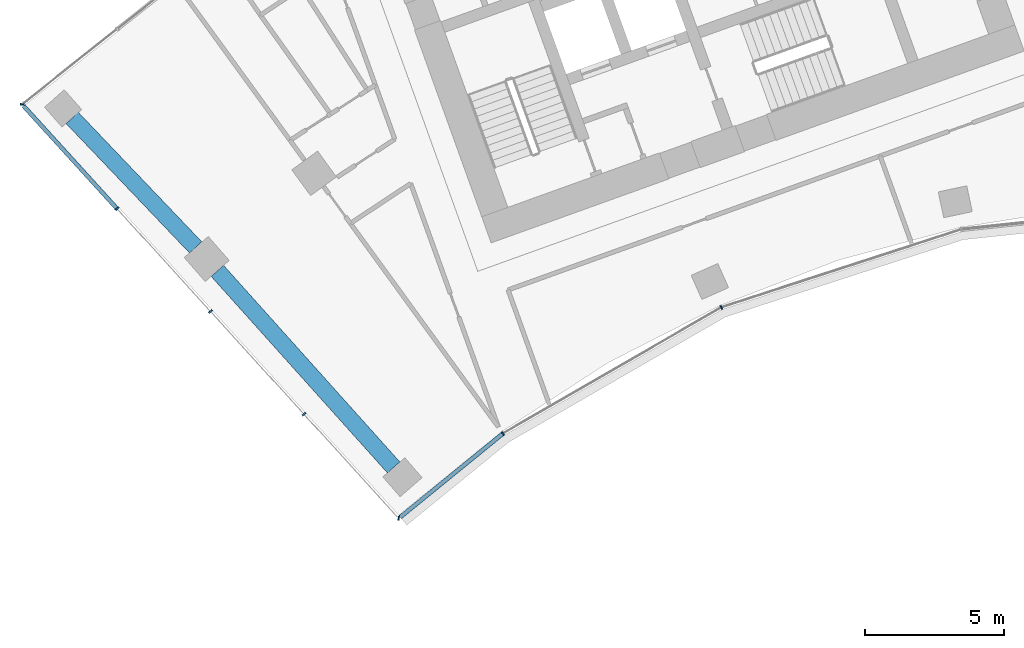
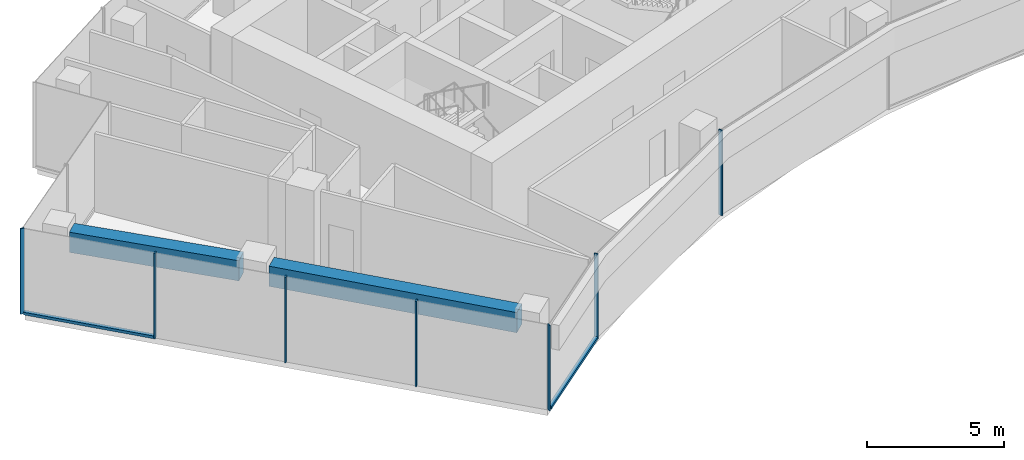
# One storey, part 2 of 17: 9 members, 2 beams, 2 elements without a shape of their own.
"""IFC4 building model written with IfcOpenShell, lengths in metres."""

from ifc_helpers import new_model, si_unit, direction, frame, origin, origin_2d, place, context, subcontext, project, spatial, rectangle, extrude, material, layer, layer_set, material_profile, profile_set, type_object, element, aggregate, save


model = new_model("IFC4")

# Units and contexts
model_context = context("Model", 3, precision=1e-05, world=origin(), true_north=direction((0.0, 1.0)))
body_context = subcontext(model_context, "Body", "Model", "MODEL_VIEW")
ifc_project = project(units=[si_unit("LENGTHUNIT", "METRE"), si_unit("AREAUNIT", "SQUARE_METRE"), si_unit("VOLUMEUNIT", "CUBIC_METRE"), si_unit("PLANEANGLEUNIT", "RADIAN"), si_unit("MASSUNIT", "GRAM", prefix="KILO")], contexts=[model_context])

# Site, building, storey
site_placement = place(None, origin())
site = spatial("IfcSite", under=ifc_project, at=site_placement, CompositionType="ELEMENT")
building_placement = place(site_placement, origin())
building = spatial("IfcBuilding", under=site, at=building_placement, Name="Stone Belt Terrace Tower", CompositionType="ELEMENT")
storey_placement = place(building_placement, frame((0.0, 0.0, 231.39990234375)))
storey = spatial("IfcBuildingStorey", under=building, at=storey_placement, Name="L56", CompositionType="ELEMENT", Elevation=231.39990234375)

# Curtain wall, members
ifc_material_1 = material(Name="Aluminium 6063-T6 anodised frame", Category="aluminium")
ifc_layer_1 = layer(ifc_material_1, 0.14990234375)
ifc_layer_set_1 = layer_set([ifc_layer_1], Name="CW-B unitised concave-face curtain wall")
curtain_wall_type_1 = type_object("IfcCurtainWallType", Name="CW-B unitised concave-face curtain wall", PredefinedType="NOTDEFINED", material=ifc_layer_set_1)
curtain_wall_1_placement = place(storey_placement, origin())
curtain_wall_1 = element("IfcCurtainWall", 1, at=curtain_wall_1_placement, inside=storey, type_object=curtain_wall_type_1, Name="CW-B concave face L56", PredefinedType="NOTDEFINED")
ifc_material_profile_1 = material_profile(ifc_material_1, rectangle(XDim=0.14990234375, YDim=0.050048828125, at=origin_2d()), Name="Aluminium 6063-T6 50x150")
ifc_profile_set_1 = profile_set([ifc_material_profile_1], Name="Aluminium 6063-T6 anodised frame")
member_type_1 = type_object("IfcMemberType", Name="CW-B mullion 50 x 150", PredefinedType="MULLION", material=ifc_profile_set_1)
member_1_placement = place(storey_placement, frame((-29.28076171875, 32.07373046875, 0.0), z_axis=(0.0, 0.0, 1.0), x_axis=(0.074612764067, 0.997212582872, 0.0)))
member_1 = element("IfcMember", 2, at=member_1_placement, type_object=member_type_1, Name="CW-B mullion 1", PredefinedType="MULLION", context=body_context, shape_type="SweptSolid", body=[
    extrude(rectangle(XDim=0.14990234375, YDim=0.050048828125, at=origin_2d()), origin(), (0.0, 0.0, 1.0), 3.800048828125),
])
member_2_placement = place(storey_placement, frame((-25.52587890625, 35.13037109375, 0.0), z_axis=(0.0, 0.0, 1.0), x_axis=(-0.567465498288, 0.823397175276, 0.0)))
member_2 = element("IfcMember", 3, at=member_2_placement, type_object=member_type_1, Name="CW-B mullion 2", PredefinedType="MULLION", context=body_context, shape_type="SweptSolid", body=[
    extrude(rectangle(XDim=0.14990234375, YDim=0.050048828125, at=origin_2d()), origin(), (0.0, 0.0, 1.0), 3.800048828125),
])
member_3_placement = place(storey_placement, frame((-17.662353515625, 39.67041015625, 0.0), z_axis=(0.0, 0.0, 1.0), x_axis=(-0.406736643076, 0.913545457643, 0.0)))
member_3 = element("IfcMember", 4, at=member_3_placement, type_object=member_type_1, Name="CW-B mullion 3", PredefinedType="MULLION", context=body_context, shape_type="SweptSolid", body=[
    extrude(rectangle(XDim=0.14990234375, YDim=0.050048828125, at=origin_2d()), origin(), (0.0, 0.0, 1.0), 3.800048828125),
])
ifc_material_profile_2 = material_profile(ifc_material_1, rectangle(XDim=0.14990234375, YDim=0.1201171875, at=origin_2d()), Name="Aluminium 6063-T6 150x120")
ifc_profile_set_2 = profile_set([ifc_material_profile_2], Name="Aluminium 6063-T6 anodised frame")
member_type_2 = type_object("IfcMemberType", Name="CW-B transom 120 x 150", PredefinedType="USERDEFINED", material=ifc_profile_set_2)
member_4_placement = place(storey_placement, frame((-29.226806640625, 32.11767578125, 0.06005859375), z_axis=(0.775515096537, 0.631329022811, 0.0), x_axis=(-0.631329022811, 0.775515096537, 0.0)))
member_4 = element("IfcMember", 5, at=member_4_placement, type_object=member_type_2, Name="CW-B transom 1.1", ObjectType="TRANSOM", PredefinedType="USERDEFINED", context=body_context, shape_type="SweptSolid", body=[
    extrude(rectangle(XDim=0.14990234375, YDim=0.1201171875, at=origin_2d()), origin(), (0.0, 0.0, 1.0), 4.740966796875),
])
aggregate(curtain_wall_1, [member_1, member_2, member_3, member_4])

ifc_layer_2 = layer(ifc_material_1, 0.14990234375)
ifc_layer_set_2 = layer_set([ifc_layer_2], Name="CW-C stick curtain wall, horn ends and notches")
curtain_wall_type_2 = type_object("IfcCurtainWallType", Name="CW-C stick curtain wall, horn ends and notches", PredefinedType="NOTDEFINED", material=ifc_layer_set_2)
curtain_wall_2_placement = place(storey_placement, origin())
curtain_wall_2 = element("IfcCurtainWall", 6, at=curtain_wall_2_placement, inside=storey, type_object=curtain_wall_type_2, Name="CW-C end face L56", PredefinedType="NOTDEFINED")
ifc_material_profile_3 = material_profile(ifc_material_1, rectangle(XDim=0.14990234375, YDim=0.06005859375, at=origin_2d()), Name="Aluminium 6063-T6 60x150")
ifc_profile_set_3 = profile_set([ifc_material_profile_3], Name="Aluminium 6063-T6 anodised frame")
member_type_3 = type_object("IfcMemberType", Name="CW-C mullion 60 x 150", PredefinedType="MULLION", material=ifc_profile_set_3)
member_5_placement = place(storey_placement, frame((-42.841552734375, 46.9794921875, 0.0), z_axis=(0.0, 0.0, 1.0), x_axis=(0.996717170972, -0.080962220139, 0.0)))
member_5 = element("IfcMember", 7, at=member_5_placement, type_object=member_type_3, Name="CW-C mullion 1", PredefinedType="MULLION", context=body_context, shape_type="SweptSolid", body=[
    extrude(rectangle(XDim=0.14990234375, YDim=0.06005859375, at=origin_2d()), origin(), (0.0, 0.0, 1.0), 3.800048828125),
])
member_6_placement = place(storey_placement, frame((-39.422607421875, 43.2216796875, 0.0), z_axis=(0.0, 0.0, 1.0), x_axis=(0.739693315468, 0.672944127735, 0.0)))
member_6 = element("IfcMember", 8, at=member_6_placement, type_object=member_type_3, Name="CW-C mullion 2", PredefinedType="MULLION", context=body_context, shape_type="SweptSolid", body=[
    extrude(rectangle(XDim=0.14990234375, YDim=0.06005859375, at=origin_2d()), origin(), (0.0, 0.0, 1.0), 3.800048828125),
])
member_7_placement = place(storey_placement, frame((-36.05810546875, 39.523193359375, 0.0), z_axis=(0.0, 0.0, 1.0), x_axis=(0.739693315468, 0.672944127735, 0.0)))
member_7 = element("IfcMember", 9, at=member_7_placement, type_object=member_type_3, Name="CW-C mullion 3", PredefinedType="MULLION", context=body_context, shape_type="SweptSolid", body=[
    extrude(rectangle(XDim=0.14990234375, YDim=0.06005859375, at=origin_2d()), origin(), (0.0, 0.0, 1.0), 3.800048828125),
])
member_8_placement = place(storey_placement, frame((-32.693359375, 35.82470703125, 0.0), z_axis=(0.0, 0.0, 1.0), x_axis=(0.739693315468, 0.672944127735, 0.0)))
member_8 = element("IfcMember", 10, at=member_8_placement, type_object=member_type_3, Name="CW-C mullion 4", PredefinedType="MULLION", context=body_context, shape_type="SweptSolid", body=[
    extrude(rectangle(XDim=0.14990234375, YDim=0.06005859375, at=origin_2d()), origin(), (0.0, 0.0, 1.0), 3.800048828125),
])
ifc_material_profile_4 = material_profile(ifc_material_1, rectangle(XDim=0.14990234375, YDim=0.1201171875, at=origin_2d()), Name="Aluminium 6063-T6 150x120")
ifc_profile_set_4 = profile_set([ifc_material_profile_4], Name="Aluminium 6063-T6 anodised frame")
member_type_4 = type_object("IfcMemberType", Name="CW-C transom 120 x 150", PredefinedType="USERDEFINED", material=ifc_profile_set_4)
member_9_placement = place(storey_placement, frame((-42.790771484375, 46.923828125, 0.06005859375), z_axis=(0.672948759459, -0.739689101679, 0.0), x_axis=(0.739689101679, 0.672948759459, 0.0)))
member_9 = element("IfcMember", 11, at=member_9_placement, type_object=member_type_4, Name="CW-C transom 1.1", ObjectType="TRANSOM", PredefinedType="USERDEFINED", context=body_context, shape_type="SweptSolid", body=[
    extrude(rectangle(XDim=0.14990234375, YDim=0.1201171875, at=origin_2d()), origin(), (0.0, 0.0, 1.0), 4.974853515625),
])
aggregate(curtain_wall_2, [member_5, member_6, member_7, member_8, member_9])

# Beams
ifc_material_2 = material(Name="Concrete B60", Category="concrete")
ifc_material_profile_5 = material_profile(ifc_material_2, rectangle(XDim=0.60009765625, YDim=0.89990234375, at=origin_2d()), Name="RC 600x900")
ifc_profile_set_5 = profile_set([ifc_material_profile_5], Name="Concrete B60")
beam_type = type_object("IfcBeamType", Name="Edge beam RC 600x900 B60", PredefinedType="SPANDREL", material=ifc_profile_set_5)
beam_1_placement = place(storey_placement, frame((-29.4638671875, 33.906982421875, 3.030029296875), z_axis=(-0.667668238644, 0.744458946555, 0.0), x_axis=(-0.744458946555, -0.667668238644, 0.0)))
element("IfcBeam", 12, at=beam_1_placement, inside=storey, type_object=beam_type, Name="Edge beam L56 A P to Q", PredefinedType="SPANDREL", context=body_context, shape_type="SweptSolid", body=[
    extrude(rectangle(XDim=0.60009765625, YDim=0.89990234375, at=origin_2d()), origin(), (0.0, 0.0, 1.0), 9.506103515625),
])
beam_2_placement = place(storey_placement, frame((-36.591796875, 41.82861328125, 3.030029296875), z_axis=(-0.690046720349, 0.723764826263, 0.0), x_axis=(-0.723764826263, -0.690046720349, 0.0)))
element("IfcBeam", 13, at=beam_2_placement, inside=storey, type_object=beam_type, Name="Edge beam L56 A Q to R", PredefinedType="SPANDREL", context=body_context, shape_type="SweptSolid", body=[
    extrude(rectangle(XDim=0.60009765625, YDim=0.89990234375, at=origin_2d()), origin(), (0.0, 0.0, 1.0), 6.444091796875),
])

save(model, "model.ifc")
